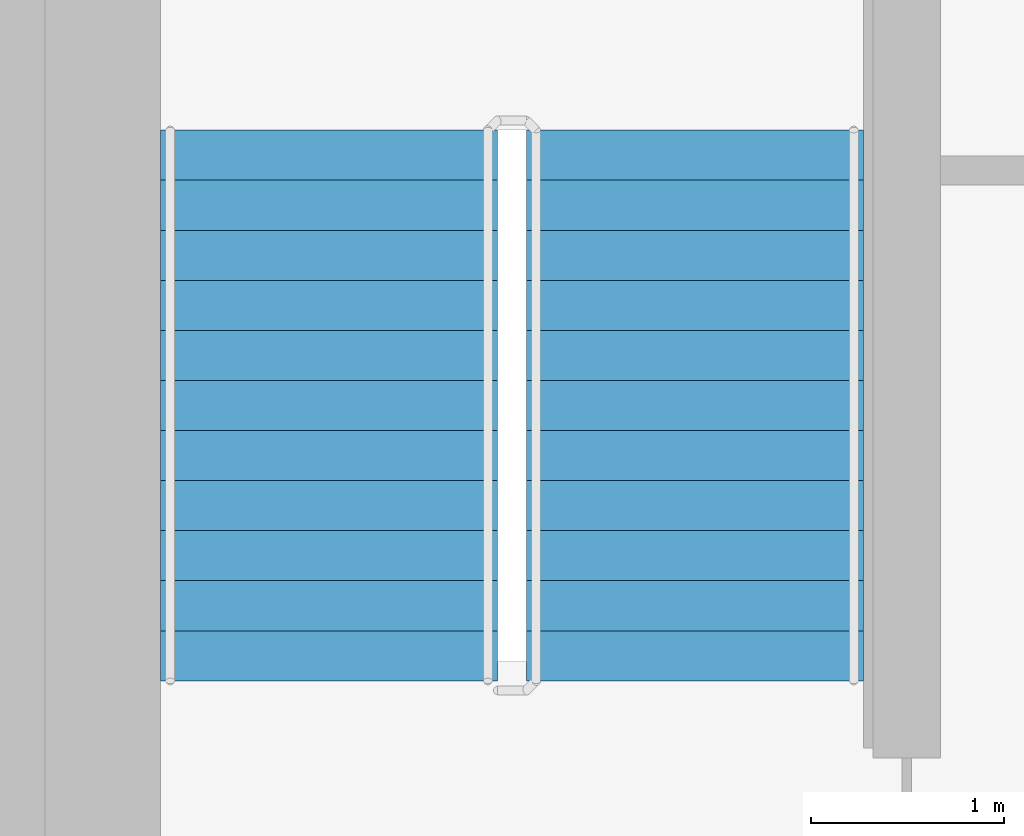
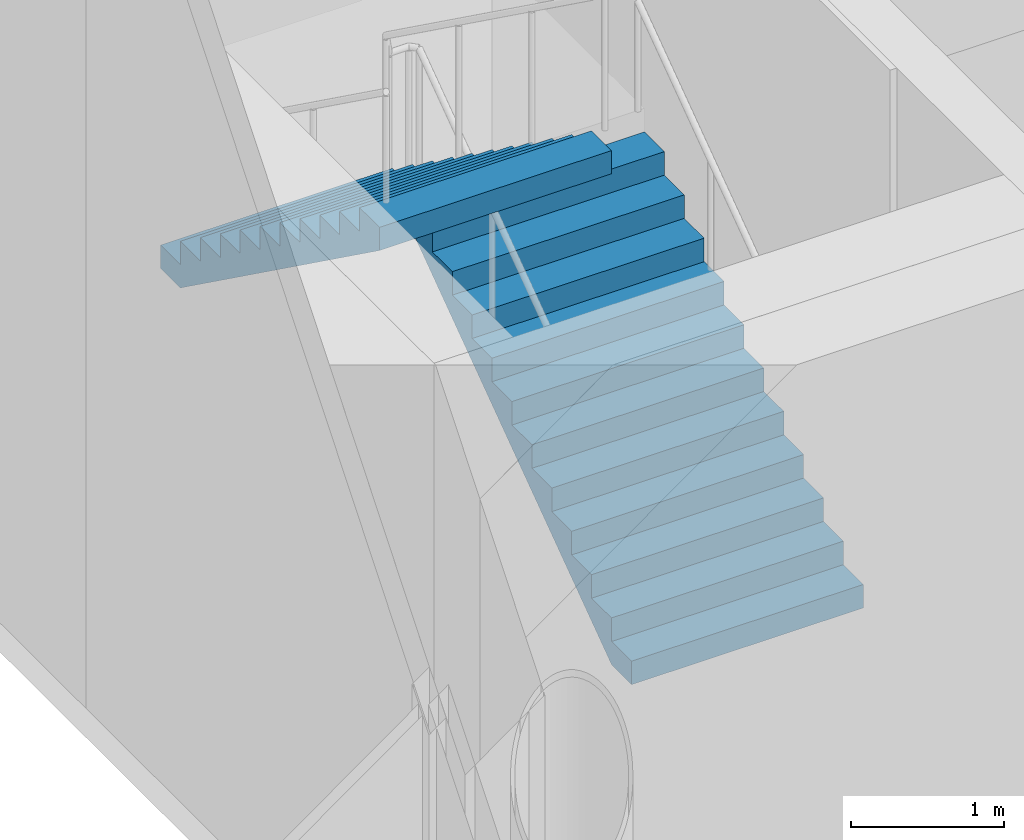
# One storey, part 14 of 16: 2 stair flights, 1 element without a shape of its own.
"""IFC4 building model written with IfcOpenShell, lengths in metres."""

from ifc_helpers import new_model, si_unit, direction, frame, origin, place, context, subcontext, project, spatial, faceted_brep, material, type_object, element, aggregate, save


model = new_model("IFC4")

# Units and contexts
model_context = context("Model", 3, precision=1e-05, world=origin(), true_north=direction((0.0, 1.0)))
body_context = subcontext(model_context, "Body", "Model", "MODEL_VIEW")
ifc_project = project(units=[si_unit("LENGTHUNIT", "METRE"), si_unit("AREAUNIT", "SQUARE_METRE"), si_unit("VOLUMEUNIT", "CUBIC_METRE"), si_unit("PLANEANGLEUNIT", "RADIAN"), si_unit("MASSUNIT", "GRAM", prefix="KILO")], contexts=[model_context])

# Site, building, storey
site_placement = place(None, origin())
site = spatial("IfcSite", under=ifc_project, at=site_placement, CompositionType="ELEMENT")
building_placement = place(site_placement, origin())
building = spatial("IfcBuilding", under=site, at=building_placement, Name="Ipe Terrace Towers", CompositionType="ELEMENT")
storey_placement = place(building_placement, frame((0.0, 0.0, 233.39990234375)))
storey = spatial("IfcBuildingStorey", under=building, at=storey_placement, Name="L65", CompositionType="ELEMENT", Elevation=233.39990234375)

# Stair, stair flights
ifc_material_1 = material(Name="Concrete C30/37", Category="concrete")
stair_type = type_object("IfcStairType", Name="Protected exit stair", PredefinedType="HALF_TURN_STAIR", material=ifc_material_1)
stair_placement = place(storey_placement, origin())
stair = element("IfcStair", 1, at=stair_placement, inside=storey, type_object=stair_type, Name="L65 Exit stair T2-C1", PredefinedType="HALF_TURN_STAIR")
ifc_material_2 = material(Name="Concrete C30/37", Category="concrete")
stair_flight_type = type_object("IfcStairFlightType", Name="Exit stair flight 1750", PredefinedType="STRAIGHT", material=ifc_material_2)
stair_flight_1_placement = place(storey_placement, frame((33.22509765625, 9.699951171875, 0.0), z_axis=(0.0, 0.0, 1.0), x_axis=(0.0, 1.0, 0.0)))
stair_flight_1 = element("IfcStairFlight", 2, at=stair_flight_1_placement, type_object=stair_flight_type, Name="T2-ST1 flight 1", NumberOfRisers=12, NumberOfTreads=11, PredefinedType="STRAIGHT", RiserHeight=0.1875, TreadLength=0.26, context=body_context, shape_type="Brep", body=[
    faceted_brep([(0.25634765625, -0.875, 0.0), (2.860107421875, -0.875, 1.877685546875), (2.860107421875, -0.875, 2.0625), (2.60009765625, -0.875, 2.0625), (2.60009765625, -0.875, 1.875), (2.340087890625, -0.875, 1.875), (2.340087890625, -0.875, 1.6875), (2.080078125, -0.875, 1.6875), (2.080078125, -0.875, 1.5), (1.820068359375, -0.875, 1.5), (1.820068359375, -0.875, 1.3125), (1.56005859375, -0.875, 1.3125), (1.56005859375, -0.875, 1.125), (1.300048828125, -0.875, 1.125), (1.300048828125, -0.875, 0.9375), (1.0400390625, -0.875, 0.9375), (1.0400390625, -0.875, 0.75), (0.780029296875, -0.875, 0.75), (0.780029296875, -0.875, 0.5625), (0.52001953125, -0.875, 0.5625), (0.52001953125, -0.875, 0.375), (0.260009765625, -0.875, 0.375), (0.260009765625, -0.875, 0.1875), (0.0, -0.875, 0.1875), (0.0, -0.875, 0.0), (0.0, 0.875, 0.0), (0.0, 0.875, 0.1875), (0.260009765625, 0.875, 0.1875), (0.260009765625, 0.875, 0.375), (0.52001953125, 0.875, 0.375), (0.52001953125, 0.875, 0.5625), (0.780029296875, 0.875, 0.5625), (0.780029296875, 0.875, 0.75), (1.0400390625, 0.875, 0.75), (1.0400390625, 0.875, 0.9375), (1.300048828125, 0.875, 0.9375), (1.300048828125, 0.875, 1.125), (1.56005859375, 0.875, 1.125), (1.56005859375, 0.875, 1.3125), (1.820068359375, 0.875, 1.3125), (1.820068359375, 0.875, 1.5), (2.080078125, 0.875, 1.5), (2.080078125, 0.875, 1.6875), (2.340087890625, 0.875, 1.6875), (2.340087890625, 0.875, 1.875), (2.60009765625, 0.875, 1.875), (2.60009765625, 0.875, 2.0625), (2.860107421875, 0.875, 2.0625), (2.860107421875, 0.875, 1.877685546875), (0.25634765625, 0.875, 0.0), (0.0, -0.300048828125, 0.1875), (0.0, -0.1201171875, 0.1875), (0.0, -0.06005859375, 0.1875), (0.0, -0.030029296875, 0.1875), (0.0, -0.010009765625, 0.1875), (0.0, 0.0, 0.1875), (0.0, 0.010009765625, 0.1875), (0.0, 0.030029296875, 0.1875), (0.0, 0.06005859375, 0.1875), (0.0, 0.1201171875, 0.1875), (0.0, 0.300048828125, 0.1875), (0.0, 0.300048828125, 0.0), (0.0, 0.1201171875, 0.0), (0.0, 0.06005859375, 0.0), (0.0, 0.030029296875, 0.0), (0.0, 0.010009765625, 0.0), (0.0, 0.0, 0.0), (0.0, -0.010009765625, 0.0), (0.0, -0.030029296875, 0.0), (0.0, -0.06005859375, 0.0), (0.0, -0.1201171875, 0.0), (0.0, -0.300048828125, 0.0), (0.260009765625, -0.300048828125, 0.1875), (0.260009765625, -0.1201171875, 0.1875), (0.260009765625, -0.06005859375, 0.1875), (0.260009765625, -0.030029296875, 0.1875), (0.260009765625, -0.010009765625, 0.1875), (0.260009765625, 0.0, 0.1875), (0.260009765625, 0.010009765625, 0.1875), (0.260009765625, 0.030029296875, 0.1875), (0.260009765625, 0.06005859375, 0.1875), (0.260009765625, 0.1201171875, 0.1875), (0.260009765625, 0.300048828125, 0.1875), (0.260009765625, -0.300048828125, 0.375), (0.260009765625, -0.1201171875, 0.375), (0.260009765625, -0.06005859375, 0.375), (0.260009765625, -0.030029296875, 0.375), (0.260009765625, -0.010009765625, 0.375), (0.260009765625, 0.0, 0.375), (0.260009765625, 0.010009765625, 0.375), (0.260009765625, 0.030029296875, 0.375), (0.260009765625, 0.06005859375, 0.375), (0.260009765625, 0.1201171875, 0.375), (0.260009765625, 0.300048828125, 0.375), (0.52001953125, -0.300048828125, 0.375), (0.52001953125, -0.1201171875, 0.375), (0.52001953125, -0.06005859375, 0.375), (0.52001953125, -0.030029296875, 0.375), (0.52001953125, -0.010009765625, 0.375), (0.52001953125, 0.0, 0.375), (0.52001953125, 0.010009765625, 0.375), (0.52001953125, 0.030029296875, 0.375), (0.52001953125, 0.06005859375, 0.375), (0.52001953125, 0.1201171875, 0.375), (0.52001953125, 0.300048828125, 0.375), (0.52001953125, -0.300048828125, 0.5625), (0.52001953125, -0.1201171875, 0.5625), (0.52001953125, -0.06005859375, 0.5625), (0.52001953125, -0.030029296875, 0.5625), (0.52001953125, -0.010009765625, 0.5625), (0.52001953125, 0.0, 0.5625), (0.52001953125, 0.010009765625, 0.5625), (0.52001953125, 0.030029296875, 0.5625), (0.52001953125, 0.06005859375, 0.5625), (0.52001953125, 0.1201171875, 0.5625), (0.52001953125, 0.300048828125, 0.5625), (0.780029296875, -0.300048828125, 0.5625), (0.780029296875, -0.1201171875, 0.5625), (0.780029296875, -0.06005859375, 0.5625), (0.780029296875, -0.030029296875, 0.5625), (0.780029296875, -0.010009765625, 0.5625), (0.780029296875, 0.0, 0.5625), (0.780029296875, 0.010009765625, 0.5625), (0.780029296875, 0.030029296875, 0.5625), (0.780029296875, 0.06005859375, 0.5625), (0.780029296875, 0.1201171875, 0.5625), (0.780029296875, 0.300048828125, 0.5625), (0.780029296875, -0.300048828125, 0.75), (0.780029296875, -0.1201171875, 0.75), (0.780029296875, -0.06005859375, 0.75), (0.780029296875, -0.030029296875, 0.75), (0.780029296875, -0.010009765625, 0.75), (0.780029296875, 0.0, 0.75), (0.780029296875, 0.010009765625, 0.75), (0.780029296875, 0.030029296875, 0.75), (0.780029296875, 0.06005859375, 0.75), (0.780029296875, 0.1201171875, 0.75), (0.780029296875, 0.300048828125, 0.75), (1.0400390625, -0.300048828125, 0.75), (1.0400390625, -0.1201171875, 0.75), (1.0400390625, -0.06005859375, 0.75), (1.0400390625, -0.030029296875, 0.75), (1.0400390625, -0.010009765625, 0.75), (1.0400390625, 0.0, 0.75), (1.0400390625, 0.010009765625, 0.75), (1.0400390625, 0.030029296875, 0.75), (1.0400390625, 0.06005859375, 0.75), (1.0400390625, 0.1201171875, 0.75), (1.0400390625, 0.300048828125, 0.75), (1.0400390625, -0.300048828125, 0.9375), (1.0400390625, -0.1201171875, 0.9375), (1.0400390625, -0.06005859375, 0.9375), (1.0400390625, -0.030029296875, 0.9375), (1.0400390625, -0.010009765625, 0.9375), (1.0400390625, 0.0, 0.9375), (1.0400390625, 0.010009765625, 0.9375), (1.0400390625, 0.030029296875, 0.9375), (1.0400390625, 0.06005859375, 0.9375), (1.0400390625, 0.1201171875, 0.9375), (1.0400390625, 0.300048828125, 0.9375), (1.300048828125, -0.300048828125, 0.9375), (1.300048828125, -0.1201171875, 0.9375), (1.300048828125, -0.06005859375, 0.9375), (1.300048828125, -0.030029296875, 0.9375), (1.300048828125, -0.010009765625, 0.9375), (1.300048828125, 0.0, 0.9375), (1.300048828125, 0.010009765625, 0.9375), (1.300048828125, 0.030029296875, 0.9375), (1.300048828125, 0.06005859375, 0.9375), (1.300048828125, 0.1201171875, 0.9375), (1.300048828125, 0.300048828125, 0.9375), (1.300048828125, -0.300048828125, 1.125), (1.300048828125, -0.1201171875, 1.125), (1.300048828125, -0.06005859375, 1.125), (1.300048828125, -0.030029296875, 1.125), (1.300048828125, -0.010009765625, 1.125), (1.300048828125, 0.0, 1.125), (1.300048828125, 0.010009765625, 1.125), (1.300048828125, 0.030029296875, 1.125), (1.300048828125, 0.06005859375, 1.125), (1.300048828125, 0.1201171875, 1.125), (1.300048828125, 0.300048828125, 1.125), (1.56005859375, -0.300048828125, 1.125), (1.56005859375, -0.1201171875, 1.125), (1.56005859375, -0.06005859375, 1.125), (1.56005859375, -0.030029296875, 1.125), (1.56005859375, -0.010009765625, 1.125), (1.56005859375, 0.0, 1.125), (1.56005859375, 0.010009765625, 1.125), (1.56005859375, 0.030029296875, 1.125), (1.56005859375, 0.06005859375, 1.125), (1.56005859375, 0.1201171875, 1.125), (1.56005859375, 0.300048828125, 1.125), (1.56005859375, -0.300048828125, 1.3125), (1.56005859375, -0.1201171875, 1.3125), (1.56005859375, -0.06005859375, 1.3125), (1.56005859375, -0.030029296875, 1.3125), (1.56005859375, -0.010009765625, 1.3125), (1.56005859375, 0.0, 1.3125), (1.56005859375, 0.010009765625, 1.3125), (1.56005859375, 0.030029296875, 1.3125), (1.56005859375, 0.06005859375, 1.3125), (1.56005859375, 0.1201171875, 1.3125), (1.56005859375, 0.300048828125, 1.3125), (1.820068359375, -0.300048828125, 1.3125), (1.820068359375, -0.1201171875, 1.3125), (1.820068359375, -0.06005859375, 1.3125), (1.820068359375, -0.030029296875, 1.3125), (1.820068359375, -0.010009765625, 1.3125), (1.820068359375, 0.0, 1.3125), (1.820068359375, 0.010009765625, 1.3125), (1.820068359375, 0.030029296875, 1.3125), (1.820068359375, 0.06005859375, 1.3125), (1.820068359375, 0.1201171875, 1.3125), (1.820068359375, 0.300048828125, 1.3125), (1.820068359375, -0.300048828125, 1.5), (1.820068359375, -0.1201171875, 1.5), (1.820068359375, -0.06005859375, 1.5), (1.820068359375, -0.030029296875, 1.5), (1.820068359375, -0.010009765625, 1.5), (1.820068359375, 0.0, 1.5), (1.820068359375, 0.010009765625, 1.5), (1.820068359375, 0.030029296875, 1.5), (1.820068359375, 0.06005859375, 1.5), (1.820068359375, 0.1201171875, 1.5), (1.820068359375, 0.300048828125, 1.5), (2.080078125, -0.300048828125, 1.5), (2.080078125, -0.1201171875, 1.5), (2.080078125, -0.06005859375, 1.5), (2.080078125, -0.030029296875, 1.5), (2.080078125, -0.010009765625, 1.5), (2.080078125, 0.0, 1.5), (2.080078125, 0.010009765625, 1.5), (2.080078125, 0.030029296875, 1.5), (2.080078125, 0.06005859375, 1.5), (2.080078125, 0.1201171875, 1.5), (2.080078125, 0.300048828125, 1.5), (2.080078125, -0.300048828125, 1.6875), (2.080078125, -0.1201171875, 1.6875), (2.080078125, -0.06005859375, 1.6875), (2.080078125, -0.030029296875, 1.6875), (2.080078125, -0.010009765625, 1.6875), (2.080078125, 0.0, 1.6875), (2.080078125, 0.010009765625, 1.6875), (2.080078125, 0.030029296875, 1.6875), (2.080078125, 0.06005859375, 1.6875), (2.080078125, 0.1201171875, 1.6875), (2.080078125, 0.300048828125, 1.6875), (2.340087890625, -0.300048828125, 1.6875), (2.340087890625, -0.1201171875, 1.6875), (2.340087890625, -0.06005859375, 1.6875), (2.340087890625, -0.030029296875, 1.6875), (2.340087890625, -0.010009765625, 1.6875), (2.340087890625, 0.0, 1.6875), (2.340087890625, 0.010009765625, 1.6875), (2.340087890625, 0.030029296875, 1.6875), (2.340087890625, 0.06005859375, 1.6875), (2.340087890625, 0.1201171875, 1.6875), (2.340087890625, 0.300048828125, 1.6875), (2.340087890625, -0.300048828125, 1.875), (2.340087890625, -0.1201171875, 1.875), (2.340087890625, -0.06005859375, 1.875), (2.340087890625, -0.030029296875, 1.875), (2.340087890625, -0.010009765625, 1.875), (2.340087890625, 0.0, 1.875), (2.340087890625, 0.010009765625, 1.875), (2.340087890625, 0.030029296875, 1.875), (2.340087890625, 0.06005859375, 1.875), (2.340087890625, 0.1201171875, 1.875), (2.340087890625, 0.300048828125, 1.875), (2.60009765625, -0.300048828125, 1.875), (2.60009765625, -0.1201171875, 1.875), (2.60009765625, -0.06005859375, 1.875), (2.60009765625, -0.030029296875, 1.875), (2.60009765625, -0.010009765625, 1.875), (2.60009765625, 0.0, 1.875), (2.60009765625, 0.010009765625, 1.875), (2.60009765625, 0.030029296875, 1.875), (2.60009765625, 0.06005859375, 1.875), (2.60009765625, 0.1201171875, 1.875), (2.60009765625, 0.300048828125, 1.875), (2.60009765625, -0.300048828125, 2.0625), (2.60009765625, -0.1201171875, 2.0625), (2.60009765625, -0.06005859375, 2.0625), (2.60009765625, -0.030029296875, 2.0625), (2.60009765625, -0.010009765625, 2.0625), (2.60009765625, 0.0, 2.0625), (2.60009765625, 0.010009765625, 2.0625), (2.60009765625, 0.030029296875, 2.0625), (2.60009765625, 0.06005859375, 2.0625), (2.60009765625, 0.1201171875, 2.0625), (2.60009765625, 0.300048828125, 2.0625), (2.860107421875, -0.300048828125, 2.0625), (2.860107421875, -0.1201171875, 2.0625), (2.860107421875, -0.06005859375, 2.0625), (2.860107421875, -0.030029296875, 2.0625), (2.860107421875, -0.010009765625, 2.0625), (2.860107421875, 0.0, 2.0625), (2.860107421875, 0.010009765625, 2.0625), (2.860107421875, 0.030029296875, 2.0625), (2.860107421875, 0.06005859375, 2.0625), (2.860107421875, 0.1201171875, 2.0625), (2.860107421875, 0.300048828125, 2.0625), (2.860107421875, -0.300048828125, 1.877685546875), (2.860107421875, -0.1201171875, 1.877685546875), (2.860107421875, -0.06005859375, 1.877685546875), (2.860107421875, -0.030029296875, 1.877685546875), (2.860107421875, -0.010009765625, 1.877685546875), (2.860107421875, 0.0, 1.877685546875), (2.860107421875, 0.010009765625, 1.877685546875), (2.860107421875, 0.030029296875, 1.877685546875), (2.860107421875, 0.06005859375, 1.877685546875), (2.860107421875, 0.1201171875, 1.877685546875), (2.860107421875, 0.300048828125, 1.877685546875), (0.25634765625, -0.300048828125, 0.0), (0.25634765625, -0.1201171875, 0.0), (0.25634765625, -0.06005859375, 0.0), (0.25634765625, -0.030029296875, 0.0), (0.25634765625, -0.010009765625, 0.0), (0.25634765625, 0.0, 0.0), (0.25634765625, 0.010009765625, 0.0), (0.25634765625, 0.030029296875, 0.0), (0.25634765625, 0.06005859375, 0.0), (0.25634765625, 0.1201171875, 0.0), (0.25634765625, 0.300048828125, 0.0)], [[[0, 1, 2, 3, 4, 5, 6, 7, 8, 9, 10, 11, 12, 13, 14, 15, 16, 17, 18, 19, 20, 21, 22, 23, 24]], [[25, 26, 27, 28, 29, 30, 31, 32, 33, 34, 35, 36, 37, 38, 39, 40, 41, 42, 43, 44, 45, 46, 47, 48, 49]], [[23, 50, 51, 52, 53, 54, 55, 56, 57, 58, 59, 60, 26, 25, 61, 62, 63, 64, 65, 66, 67, 68, 69, 70, 71, 24]], [[22, 72, 73, 74, 75, 76, 77, 78, 79, 80, 81, 82, 27, 26, 60, 59, 58, 57, 56, 55, 54, 53, 52, 51, 50, 23]], [[21, 83, 84, 85, 86, 87, 88, 89, 90, 91, 92, 93, 28, 27, 82, 81, 80, 79, 78, 77, 76, 75, 74, 73, 72, 22]], [[20, 94, 95, 96, 97, 98, 99, 100, 101, 102, 103, 104, 29, 28, 93, 92, 91, 90, 89, 88, 87, 86, 85, 84, 83, 21]], [[19, 105, 106, 107, 108, 109, 110, 111, 112, 113, 114, 115, 30, 29, 104, 103, 102, 101, 100, 99, 98, 97, 96, 95, 94, 20]], [[18, 116, 117, 118, 119, 120, 121, 122, 123, 124, 125, 126, 31, 30, 115, 114, 113, 112, 111, 110, 109, 108, 107, 106, 105, 19]], [[17, 127, 128, 129, 130, 131, 132, 133, 134, 135, 136, 137, 32, 31, 126, 125, 124, 123, 122, 121, 120, 119, 118, 117, 116, 18]], [[16, 138, 139, 140, 141, 142, 143, 144, 145, 146, 147, 148, 33, 32, 137, 136, 135, 134, 133, 132, 131, 130, 129, 128, 127, 17]], [[15, 149, 150, 151, 152, 153, 154, 155, 156, 157, 158, 159, 34, 33, 148, 147, 146, 145, 144, 143, 142, 141, 140, 139, 138, 16]], [[14, 160, 161, 162, 163, 164, 165, 166, 167, 168, 169, 170, 35, 34, 159, 158, 157, 156, 155, 154, 153, 152, 151, 150, 149, 15]], [[13, 171, 172, 173, 174, 175, 176, 177, 178, 179, 180, 181, 36, 35, 170, 169, 168, 167, 166, 165, 164, 163, 162, 161, 160, 14]], [[12, 182, 183, 184, 185, 186, 187, 188, 189, 190, 191, 192, 37, 36, 181, 180, 179, 178, 177, 176, 175, 174, 173, 172, 171, 13]], [[11, 193, 194, 195, 196, 197, 198, 199, 200, 201, 202, 203, 38, 37, 192, 191, 190, 189, 188, 187, 186, 185, 184, 183, 182, 12]], [[10, 204, 205, 206, 207, 208, 209, 210, 211, 212, 213, 214, 39, 38, 203, 202, 201, 200, 199, 198, 197, 196, 195, 194, 193, 11]], [[9, 215, 216, 217, 218, 219, 220, 221, 222, 223, 224, 225, 40, 39, 214, 213, 212, 211, 210, 209, 208, 207, 206, 205, 204, 10]], [[8, 226, 227, 228, 229, 230, 231, 232, 233, 234, 235, 236, 41, 40, 225, 224, 223, 222, 221, 220, 219, 218, 217, 216, 215, 9]], [[7, 237, 238, 239, 240, 241, 242, 243, 244, 245, 246, 247, 42, 41, 236, 235, 234, 233, 232, 231, 230, 229, 228, 227, 226, 8]], [[6, 248, 249, 250, 251, 252, 253, 254, 255, 256, 257, 258, 43, 42, 247, 246, 245, 244, 243, 242, 241, 240, 239, 238, 237, 7]], [[5, 259, 260, 261, 262, 263, 264, 265, 266, 267, 268, 269, 44, 43, 258, 257, 256, 255, 254, 253, 252, 251, 250, 249, 248, 6]], [[4, 270, 271, 272, 273, 274, 275, 276, 277, 278, 279, 280, 45, 44, 269, 268, 267, 266, 265, 264, 263, 262, 261, 260, 259, 5]], [[3, 281, 282, 283, 284, 285, 286, 287, 288, 289, 290, 291, 46, 45, 280, 279, 278, 277, 276, 275, 274, 273, 272, 271, 270, 4]], [[2, 292, 293, 294, 295, 296, 297, 298, 299, 300, 301, 302, 47, 46, 291, 290, 289, 288, 287, 286, 285, 284, 283, 282, 281, 3]], [[1, 303, 304, 305, 306, 307, 308, 309, 310, 311, 312, 313, 48, 47, 302, 301, 300, 299, 298, 297, 296, 295, 294, 293, 292, 2]], [[0, 314, 315, 316, 317, 318, 319, 320, 321, 322, 323, 324, 49, 48, 313, 312, 311, 310, 309, 308, 307, 306, 305, 304, 303, 1]], [[24, 71, 70, 69, 68, 67, 66, 65, 64, 63, 62, 61, 25, 49, 324, 323, 322, 321, 320, 319, 318, 317, 316, 315, 314, 0]]]),
])
stair_flight_2_placement = place(storey_placement, frame((31.324951171875, 12.56005859375, 2.25), z_axis=(0.0, 0.0, 1.0), x_axis=(0.0, -1.0, 0.0)))
stair_flight_2 = element("IfcStairFlight", 3, at=stair_flight_2_placement, type_object=stair_flight_type, Name="T2-ST1 flight 2", NumberOfRisers=12, NumberOfTreads=11, PredefinedType="STRAIGHT", RiserHeight=0.1875, TreadLength=0.26, context=body_context, shape_type="Brep", body=[
    faceted_brep([(0.25634765625, -0.875, 0.0), (2.860107421875, -0.875, 1.877685546875), (2.860107421875, -0.875, 2.0625), (2.60009765625, -0.875, 2.0625), (2.60009765625, -0.875, 1.875), (2.340087890625, -0.875, 1.875), (2.340087890625, -0.875, 1.6875), (2.080078125, -0.875, 1.6875), (2.080078125, -0.875, 1.5), (1.820068359375, -0.875, 1.5), (1.820068359375, -0.875, 1.3125), (1.56005859375, -0.875, 1.3125), (1.56005859375, -0.875, 1.125), (1.300048828125, -0.875, 1.125), (1.300048828125, -0.875, 0.9375), (1.0400390625, -0.875, 0.9375), (1.0400390625, -0.875, 0.75), (0.780029296875, -0.875, 0.75), (0.780029296875, -0.875, 0.5625), (0.52001953125, -0.875, 0.5625), (0.52001953125, -0.875, 0.375), (0.260009765625, -0.875, 0.375), (0.260009765625, -0.875, 0.1875), (0.0, -0.875, 0.1875), (0.0, -0.875, 0.0), (0.0, 0.875, 0.0), (0.0, 0.875, 0.1875), (0.260009765625, 0.875, 0.1875), (0.260009765625, 0.875, 0.375), (0.52001953125, 0.875, 0.375), (0.52001953125, 0.875, 0.5625), (0.780029296875, 0.875, 0.5625), (0.780029296875, 0.875, 0.75), (1.0400390625, 0.875, 0.75), (1.0400390625, 0.875, 0.9375), (1.300048828125, 0.875, 0.9375), (1.300048828125, 0.875, 1.125), (1.56005859375, 0.875, 1.125), (1.56005859375, 0.875, 1.3125), (1.820068359375, 0.875, 1.3125), (1.820068359375, 0.875, 1.5), (2.080078125, 0.875, 1.5), (2.080078125, 0.875, 1.6875), (2.340087890625, 0.875, 1.6875), (2.340087890625, 0.875, 1.875), (2.60009765625, 0.875, 1.875), (2.60009765625, 0.875, 2.0625), (2.860107421875, 0.875, 2.0625), (2.860107421875, 0.875, 1.877685546875), (0.25634765625, 0.875, 0.0), (0.0, -0.300048828125, 0.1875), (0.0, -0.1201171875, 0.1875), (0.0, -0.06005859375, 0.1875), (0.0, -0.030029296875, 0.1875), (0.0, -0.010009765625, 0.1875), (0.0, 0.0, 0.1875), (0.0, 0.010009765625, 0.1875), (0.0, 0.030029296875, 0.1875), (0.0, 0.06005859375, 0.1875), (0.0, 0.1201171875, 0.1875), (0.0, 0.300048828125, 0.1875), (0.0, 0.300048828125, 0.0), (0.0, 0.1201171875, 0.0), (0.0, 0.06005859375, 0.0), (0.0, 0.030029296875, 0.0), (0.0, 0.010009765625, 0.0), (0.0, 0.0, 0.0), (0.0, -0.010009765625, 0.0), (0.0, -0.030029296875, 0.0), (0.0, -0.06005859375, 0.0), (0.0, -0.1201171875, 0.0), (0.0, -0.300048828125, 0.0), (0.260009765625, -0.300048828125, 0.1875), (0.260009765625, -0.1201171875, 0.1875), (0.260009765625, -0.06005859375, 0.1875), (0.260009765625, -0.030029296875, 0.1875), (0.260009765625, -0.010009765625, 0.1875), (0.260009765625, 0.0, 0.1875), (0.260009765625, 0.010009765625, 0.1875), (0.260009765625, 0.030029296875, 0.1875), (0.260009765625, 0.06005859375, 0.1875), (0.260009765625, 0.1201171875, 0.1875), (0.260009765625, 0.300048828125, 0.1875), (0.260009765625, -0.300048828125, 0.375), (0.260009765625, -0.1201171875, 0.375), (0.260009765625, -0.06005859375, 0.375), (0.260009765625, -0.030029296875, 0.375), (0.260009765625, -0.010009765625, 0.375), (0.260009765625, 0.0, 0.375), (0.260009765625, 0.010009765625, 0.375), (0.260009765625, 0.030029296875, 0.375), (0.260009765625, 0.06005859375, 0.375), (0.260009765625, 0.1201171875, 0.375), (0.260009765625, 0.300048828125, 0.375), (0.52001953125, -0.300048828125, 0.375), (0.52001953125, -0.1201171875, 0.375), (0.52001953125, -0.06005859375, 0.375), (0.52001953125, -0.030029296875, 0.375), (0.52001953125, -0.010009765625, 0.375), (0.52001953125, 0.0, 0.375), (0.52001953125, 0.010009765625, 0.375), (0.52001953125, 0.030029296875, 0.375), (0.52001953125, 0.06005859375, 0.375), (0.52001953125, 0.1201171875, 0.375), (0.52001953125, 0.300048828125, 0.375), (0.52001953125, -0.300048828125, 0.5625), (0.52001953125, -0.1201171875, 0.5625), (0.52001953125, -0.06005859375, 0.5625), (0.52001953125, -0.030029296875, 0.5625), (0.52001953125, -0.010009765625, 0.5625), (0.52001953125, 0.0, 0.5625), (0.52001953125, 0.010009765625, 0.5625), (0.52001953125, 0.030029296875, 0.5625), (0.52001953125, 0.06005859375, 0.5625), (0.52001953125, 0.1201171875, 0.5625), (0.52001953125, 0.300048828125, 0.5625), (0.780029296875, -0.300048828125, 0.5625), (0.780029296875, -0.1201171875, 0.5625), (0.780029296875, -0.06005859375, 0.5625), (0.780029296875, -0.030029296875, 0.5625), (0.780029296875, -0.010009765625, 0.5625), (0.780029296875, 0.0, 0.5625), (0.780029296875, 0.010009765625, 0.5625), (0.780029296875, 0.030029296875, 0.5625), (0.780029296875, 0.06005859375, 0.5625), (0.780029296875, 0.1201171875, 0.5625), (0.780029296875, 0.300048828125, 0.5625), (0.780029296875, -0.300048828125, 0.75), (0.780029296875, -0.1201171875, 0.75), (0.780029296875, -0.06005859375, 0.75), (0.780029296875, -0.030029296875, 0.75), (0.780029296875, -0.010009765625, 0.75), (0.780029296875, 0.0, 0.75), (0.780029296875, 0.010009765625, 0.75), (0.780029296875, 0.030029296875, 0.75), (0.780029296875, 0.06005859375, 0.75), (0.780029296875, 0.1201171875, 0.75), (0.780029296875, 0.300048828125, 0.75), (1.0400390625, -0.300048828125, 0.75), (1.0400390625, -0.1201171875, 0.75), (1.0400390625, -0.06005859375, 0.75), (1.0400390625, -0.030029296875, 0.75), (1.0400390625, -0.010009765625, 0.75), (1.0400390625, 0.0, 0.75), (1.0400390625, 0.010009765625, 0.75), (1.0400390625, 0.030029296875, 0.75), (1.0400390625, 0.06005859375, 0.75), (1.0400390625, 0.1201171875, 0.75), (1.0400390625, 0.300048828125, 0.75), (1.0400390625, -0.300048828125, 0.9375), (1.0400390625, -0.1201171875, 0.9375), (1.0400390625, -0.06005859375, 0.9375), (1.0400390625, -0.030029296875, 0.9375), (1.0400390625, -0.010009765625, 0.9375), (1.0400390625, 0.0, 0.9375), (1.0400390625, 0.010009765625, 0.9375), (1.0400390625, 0.030029296875, 0.9375), (1.0400390625, 0.06005859375, 0.9375), (1.0400390625, 0.1201171875, 0.9375), (1.0400390625, 0.300048828125, 0.9375), (1.300048828125, -0.300048828125, 0.9375), (1.300048828125, -0.1201171875, 0.9375), (1.300048828125, -0.06005859375, 0.9375), (1.300048828125, -0.030029296875, 0.9375), (1.300048828125, -0.010009765625, 0.9375), (1.300048828125, 0.0, 0.9375), (1.300048828125, 0.010009765625, 0.9375), (1.300048828125, 0.030029296875, 0.9375), (1.300048828125, 0.06005859375, 0.9375), (1.300048828125, 0.1201171875, 0.9375), (1.300048828125, 0.300048828125, 0.9375), (1.300048828125, -0.300048828125, 1.125), (1.300048828125, -0.1201171875, 1.125), (1.300048828125, -0.06005859375, 1.125), (1.300048828125, -0.030029296875, 1.125), (1.300048828125, -0.010009765625, 1.125), (1.300048828125, 0.0, 1.125), (1.300048828125, 0.010009765625, 1.125), (1.300048828125, 0.030029296875, 1.125), (1.300048828125, 0.06005859375, 1.125), (1.300048828125, 0.1201171875, 1.125), (1.300048828125, 0.300048828125, 1.125), (1.56005859375, -0.300048828125, 1.125), (1.56005859375, -0.1201171875, 1.125), (1.56005859375, -0.06005859375, 1.125), (1.56005859375, -0.030029296875, 1.125), (1.56005859375, -0.010009765625, 1.125), (1.56005859375, 0.0, 1.125), (1.56005859375, 0.010009765625, 1.125), (1.56005859375, 0.030029296875, 1.125), (1.56005859375, 0.06005859375, 1.125), (1.56005859375, 0.1201171875, 1.125), (1.56005859375, 0.300048828125, 1.125), (1.56005859375, -0.300048828125, 1.3125), (1.56005859375, -0.1201171875, 1.3125), (1.56005859375, -0.06005859375, 1.3125), (1.56005859375, -0.030029296875, 1.3125), (1.56005859375, -0.010009765625, 1.3125), (1.56005859375, 0.0, 1.3125), (1.56005859375, 0.010009765625, 1.3125), (1.56005859375, 0.030029296875, 1.3125), (1.56005859375, 0.06005859375, 1.3125), (1.56005859375, 0.1201171875, 1.3125), (1.56005859375, 0.300048828125, 1.3125), (1.820068359375, -0.300048828125, 1.3125), (1.820068359375, -0.1201171875, 1.3125), (1.820068359375, -0.06005859375, 1.3125), (1.820068359375, -0.030029296875, 1.3125), (1.820068359375, -0.010009765625, 1.3125), (1.820068359375, 0.0, 1.3125), (1.820068359375, 0.010009765625, 1.3125), (1.820068359375, 0.030029296875, 1.3125), (1.820068359375, 0.06005859375, 1.3125), (1.820068359375, 0.1201171875, 1.3125), (1.820068359375, 0.300048828125, 1.3125), (1.820068359375, -0.300048828125, 1.5), (1.820068359375, -0.1201171875, 1.5), (1.820068359375, -0.06005859375, 1.5), (1.820068359375, -0.030029296875, 1.5), (1.820068359375, -0.010009765625, 1.5), (1.820068359375, 0.0, 1.5), (1.820068359375, 0.010009765625, 1.5), (1.820068359375, 0.030029296875, 1.5), (1.820068359375, 0.06005859375, 1.5), (1.820068359375, 0.1201171875, 1.5), (1.820068359375, 0.300048828125, 1.5), (2.080078125, -0.300048828125, 1.5), (2.080078125, -0.1201171875, 1.5), (2.080078125, -0.06005859375, 1.5), (2.080078125, -0.030029296875, 1.5), (2.080078125, -0.010009765625, 1.5), (2.080078125, 0.0, 1.5), (2.080078125, 0.010009765625, 1.5), (2.080078125, 0.030029296875, 1.5), (2.080078125, 0.06005859375, 1.5), (2.080078125, 0.1201171875, 1.5), (2.080078125, 0.300048828125, 1.5), (2.080078125, -0.300048828125, 1.6875), (2.080078125, -0.1201171875, 1.6875), (2.080078125, -0.06005859375, 1.6875), (2.080078125, -0.030029296875, 1.6875), (2.080078125, -0.010009765625, 1.6875), (2.080078125, 0.0, 1.6875), (2.080078125, 0.010009765625, 1.6875), (2.080078125, 0.030029296875, 1.6875), (2.080078125, 0.06005859375, 1.6875), (2.080078125, 0.1201171875, 1.6875), (2.080078125, 0.300048828125, 1.6875), (2.340087890625, -0.300048828125, 1.6875), (2.340087890625, -0.1201171875, 1.6875), (2.340087890625, -0.06005859375, 1.6875), (2.340087890625, -0.030029296875, 1.6875), (2.340087890625, -0.010009765625, 1.6875), (2.340087890625, 0.0, 1.6875), (2.340087890625, 0.010009765625, 1.6875), (2.340087890625, 0.030029296875, 1.6875), (2.340087890625, 0.06005859375, 1.6875), (2.340087890625, 0.1201171875, 1.6875), (2.340087890625, 0.300048828125, 1.6875), (2.340087890625, -0.300048828125, 1.875), (2.340087890625, -0.1201171875, 1.875), (2.340087890625, -0.06005859375, 1.875), (2.340087890625, -0.030029296875, 1.875), (2.340087890625, -0.010009765625, 1.875), (2.340087890625, 0.0, 1.875), (2.340087890625, 0.010009765625, 1.875), (2.340087890625, 0.030029296875, 1.875), (2.340087890625, 0.06005859375, 1.875), (2.340087890625, 0.1201171875, 1.875), (2.340087890625, 0.300048828125, 1.875), (2.60009765625, -0.300048828125, 1.875), (2.60009765625, -0.1201171875, 1.875), (2.60009765625, -0.06005859375, 1.875), (2.60009765625, -0.030029296875, 1.875), (2.60009765625, -0.010009765625, 1.875), (2.60009765625, 0.0, 1.875), (2.60009765625, 0.010009765625, 1.875), (2.60009765625, 0.030029296875, 1.875), (2.60009765625, 0.06005859375, 1.875), (2.60009765625, 0.1201171875, 1.875), (2.60009765625, 0.300048828125, 1.875), (2.60009765625, -0.300048828125, 2.0625), (2.60009765625, -0.1201171875, 2.0625), (2.60009765625, -0.06005859375, 2.0625), (2.60009765625, -0.030029296875, 2.0625), (2.60009765625, -0.010009765625, 2.0625), (2.60009765625, 0.0, 2.0625), (2.60009765625, 0.010009765625, 2.0625), (2.60009765625, 0.030029296875, 2.0625), (2.60009765625, 0.06005859375, 2.0625), (2.60009765625, 0.1201171875, 2.0625), (2.60009765625, 0.300048828125, 2.0625), (2.860107421875, -0.300048828125, 2.0625), (2.860107421875, -0.1201171875, 2.0625), (2.860107421875, -0.06005859375, 2.0625), (2.860107421875, -0.030029296875, 2.0625), (2.860107421875, -0.010009765625, 2.0625), (2.860107421875, 0.0, 2.0625), (2.860107421875, 0.010009765625, 2.0625), (2.860107421875, 0.030029296875, 2.0625), (2.860107421875, 0.06005859375, 2.0625), (2.860107421875, 0.1201171875, 2.0625), (2.860107421875, 0.300048828125, 2.0625), (2.860107421875, -0.300048828125, 1.877685546875), (2.860107421875, -0.1201171875, 1.877685546875), (2.860107421875, -0.06005859375, 1.877685546875), (2.860107421875, -0.030029296875, 1.877685546875), (2.860107421875, -0.010009765625, 1.877685546875), (2.860107421875, 0.0, 1.877685546875), (2.860107421875, 0.010009765625, 1.877685546875), (2.860107421875, 0.030029296875, 1.877685546875), (2.860107421875, 0.06005859375, 1.877685546875), (2.860107421875, 0.1201171875, 1.877685546875), (2.860107421875, 0.300048828125, 1.877685546875), (0.25634765625, -0.300048828125, 0.0), (0.25634765625, -0.1201171875, 0.0), (0.25634765625, -0.06005859375, 0.0), (0.25634765625, -0.030029296875, 0.0), (0.25634765625, -0.010009765625, 0.0), (0.25634765625, 0.0, 0.0), (0.25634765625, 0.010009765625, 0.0), (0.25634765625, 0.030029296875, 0.0), (0.25634765625, 0.06005859375, 0.0), (0.25634765625, 0.1201171875, 0.0), (0.25634765625, 0.300048828125, 0.0)], [[[0, 1, 2, 3, 4, 5, 6, 7, 8, 9, 10, 11, 12, 13, 14, 15, 16, 17, 18, 19, 20, 21, 22, 23, 24]], [[25, 26, 27, 28, 29, 30, 31, 32, 33, 34, 35, 36, 37, 38, 39, 40, 41, 42, 43, 44, 45, 46, 47, 48, 49]], [[23, 50, 51, 52, 53, 54, 55, 56, 57, 58, 59, 60, 26, 25, 61, 62, 63, 64, 65, 66, 67, 68, 69, 70, 71, 24]], [[22, 72, 73, 74, 75, 76, 77, 78, 79, 80, 81, 82, 27, 26, 60, 59, 58, 57, 56, 55, 54, 53, 52, 51, 50, 23]], [[21, 83, 84, 85, 86, 87, 88, 89, 90, 91, 92, 93, 28, 27, 82, 81, 80, 79, 78, 77, 76, 75, 74, 73, 72, 22]], [[20, 94, 95, 96, 97, 98, 99, 100, 101, 102, 103, 104, 29, 28, 93, 92, 91, 90, 89, 88, 87, 86, 85, 84, 83, 21]], [[19, 105, 106, 107, 108, 109, 110, 111, 112, 113, 114, 115, 30, 29, 104, 103, 102, 101, 100, 99, 98, 97, 96, 95, 94, 20]], [[18, 116, 117, 118, 119, 120, 121, 122, 123, 124, 125, 126, 31, 30, 115, 114, 113, 112, 111, 110, 109, 108, 107, 106, 105, 19]], [[17, 127, 128, 129, 130, 131, 132, 133, 134, 135, 136, 137, 32, 31, 126, 125, 124, 123, 122, 121, 120, 119, 118, 117, 116, 18]], [[16, 138, 139, 140, 141, 142, 143, 144, 145, 146, 147, 148, 33, 32, 137, 136, 135, 134, 133, 132, 131, 130, 129, 128, 127, 17]], [[15, 149, 150, 151, 152, 153, 154, 155, 156, 157, 158, 159, 34, 33, 148, 147, 146, 145, 144, 143, 142, 141, 140, 139, 138, 16]], [[14, 160, 161, 162, 163, 164, 165, 166, 167, 168, 169, 170, 35, 34, 159, 158, 157, 156, 155, 154, 153, 152, 151, 150, 149, 15]], [[13, 171, 172, 173, 174, 175, 176, 177, 178, 179, 180, 181, 36, 35, 170, 169, 168, 167, 166, 165, 164, 163, 162, 161, 160, 14]], [[12, 182, 183, 184, 185, 186, 187, 188, 189, 190, 191, 192, 37, 36, 181, 180, 179, 178, 177, 176, 175, 174, 173, 172, 171, 13]], [[11, 193, 194, 195, 196, 197, 198, 199, 200, 201, 202, 203, 38, 37, 192, 191, 190, 189, 188, 187, 186, 185, 184, 183, 182, 12]], [[10, 204, 205, 206, 207, 208, 209, 210, 211, 212, 213, 214, 39, 38, 203, 202, 201, 200, 199, 198, 197, 196, 195, 194, 193, 11]], [[9, 215, 216, 217, 218, 219, 220, 221, 222, 223, 224, 225, 40, 39, 214, 213, 212, 211, 210, 209, 208, 207, 206, 205, 204, 10]], [[8, 226, 227, 228, 229, 230, 231, 232, 233, 234, 235, 236, 41, 40, 225, 224, 223, 222, 221, 220, 219, 218, 217, 216, 215, 9]], [[7, 237, 238, 239, 240, 241, 242, 243, 244, 245, 246, 247, 42, 41, 236, 235, 234, 233, 232, 231, 230, 229, 228, 227, 226, 8]], [[6, 248, 249, 250, 251, 252, 253, 254, 255, 256, 257, 258, 43, 42, 247, 246, 245, 244, 243, 242, 241, 240, 239, 238, 237, 7]], [[5, 259, 260, 261, 262, 263, 264, 265, 266, 267, 268, 269, 44, 43, 258, 257, 256, 255, 254, 253, 252, 251, 250, 249, 248, 6]], [[4, 270, 271, 272, 273, 274, 275, 276, 277, 278, 279, 280, 45, 44, 269, 268, 267, 266, 265, 264, 263, 262, 261, 260, 259, 5]], [[3, 281, 282, 283, 284, 285, 286, 287, 288, 289, 290, 291, 46, 45, 280, 279, 278, 277, 276, 275, 274, 273, 272, 271, 270, 4]], [[2, 292, 293, 294, 295, 296, 297, 298, 299, 300, 301, 302, 47, 46, 291, 290, 289, 288, 287, 286, 285, 284, 283, 282, 281, 3]], [[1, 303, 304, 305, 306, 307, 308, 309, 310, 311, 312, 313, 48, 47, 302, 301, 300, 299, 298, 297, 296, 295, 294, 293, 292, 2]], [[0, 314, 315, 316, 317, 318, 319, 320, 321, 322, 323, 324, 49, 48, 313, 312, 311, 310, 309, 308, 307, 306, 305, 304, 303, 1]], [[24, 71, 70, 69, 68, 67, 66, 65, 64, 63, 62, 61, 25, 49, 324, 323, 322, 321, 320, 319, 318, 317, 316, 315, 314, 0]]]),
])
aggregate(stair, [stair_flight_1, stair_flight_2])

save(model, "model.ifc")
